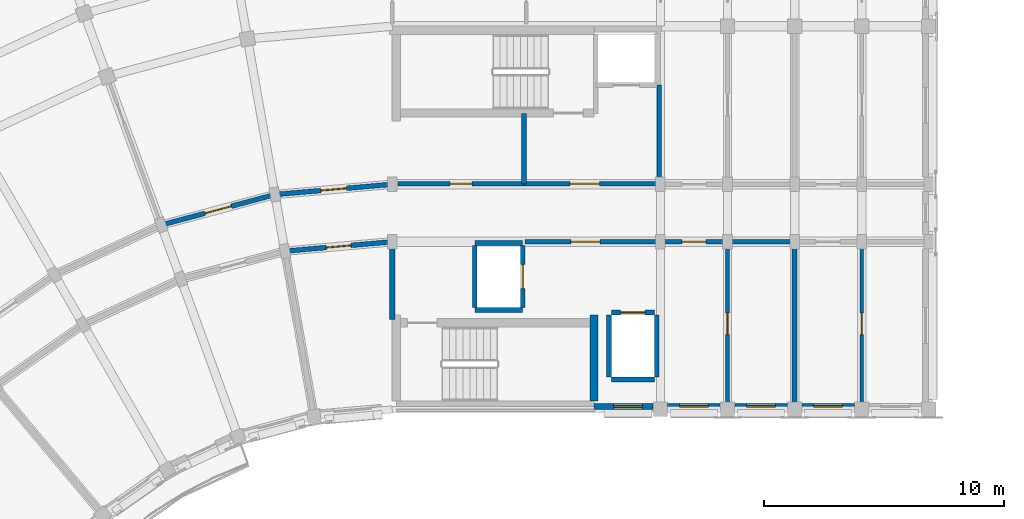
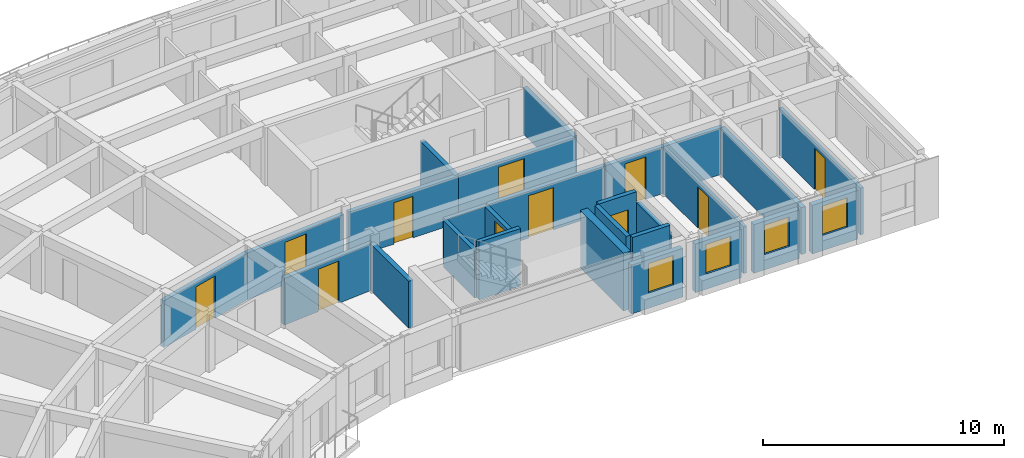
# One storey, part 14 of 32: 27 walls, 11 doors, 4 windows, 15 openings.
"""IFC4 building model written with IfcOpenShell, lengths in metres."""

from ifc_helpers import new_model, si_unit, direction, frame, frame_2d, origin, place, context, subcontext, project, spatial, rectangle, extrude, material, layer, layer_set, type_object, element, fill, save


model = new_model("IFC4")

# Units and contexts
model_context = context("Model", 3, precision=1e-05, world=origin(), true_north=direction((0.0, 1.0)))
body_context = subcontext(model_context, "Body", "Model", "MODEL_VIEW")
ifc_project = project(units=[si_unit("LENGTHUNIT", "METRE"), si_unit("AREAUNIT", "SQUARE_METRE"), si_unit("VOLUMEUNIT", "CUBIC_METRE"), si_unit("PLANEANGLEUNIT", "RADIAN"), si_unit("MASSUNIT", "GRAM", prefix="KILO")], contexts=[model_context])

# Site, building, storey
site_placement = place(None, origin())
site = spatial("IfcSite", under=ifc_project, at=site_placement, CompositionType="ELEMENT")
building_placement = place(site_placement, origin())
building = spatial("IfcBuilding", under=site, at=building_placement, Name="Kiranvali Square Residences", CompositionType="ELEMENT")
storey_placement = place(building_placement, frame((0.0, 0.0, 40.199951171875)))
storey = spatial("IfcBuildingStorey", under=building, at=storey_placement, Name="L12", CompositionType="ELEMENT", Elevation=40.199951171875)

# Wall, opening, door
ifc_material_1 = material(Name="Autoclaved aerated concrete blockwork masonry", Category="masonry")
ifc_layer_1 = layer(ifc_material_1, 0.199951171875)
ifc_layer_set_1 = layer_set([ifc_layer_1], Name="Autoclaved aerated concrete blockwork masonry")
wall_type_1 = type_object("IfcWallType", Name="WL-COR-200", PredefinedType="STANDARD", material=ifc_layer_set_1)
wall_1_placement = place(storey_placement, frame((53.75, 113.60009765625, 0.0), z_axis=(0.0, 0.0, 1.0), x_axis=(1.0, 0.0, 0.0)))
wall_1 = element("IfcWall", 1, at=wall_1_placement, inside=storey, type_object=wall_type_1, Name="L12 architectural wall WL-L12-A-LL-COR", PredefinedType="STANDARD", context=body_context, shape_type="SweptSolid", body=[
    extrude(rectangle(XDim=5.60009765625, YDim=0.199951171875, at=frame_2d((2.800048828125, 0.0))), origin(), (0.0, 0.0, 1.0), 2.3720703125),
])
opening_1_placement = place(wall_1_placement, frame((1.909912109375, 0.0, 0.0)))
opening_1 = element("IfcOpeningElement", 2, at=opening_1_placement, cuts=wall_1, Name="Opening FD-COR-60", PredefinedType="OPENING", context=body_context, shape_type="SweptSolid", body=[
    extrude(rectangle(XDim=1.219970703125, YDim=2.14990234375, at=frame_2d((0.60986328125, 1.074951171875))), frame((0.0, 0.10986328125, 0.0), z_axis=(0.0, -1.0, 0.0), x_axis=(1.0, 0.0, 0.0)), (0.0, 0.0, 1.0), 0.219970703125),
])
ifc_material_2 = material(Name="Fire-rated acoustic hardwood and mineral-core door assembly", Category="wood")
door_type_1 = type_object("IfcDoorType", Name="DR-FD60-1200", OperationType="NOTDEFINED", PredefinedType="DOOR", material=ifc_material_2)
door_1_placement = place(opening_1_placement, frame((1.219970703125, 0.0, 0.0), z_axis=(0.0, 0.0, 1.0), x_axis=(-1.0, 0.0, 0.0)))
door_1 = element("IfcDoor", 3, at=door_1_placement, inside=storey, type_object=door_type_1, Name="L12 door DR-L12-0748 (DR-FD60-1200)", OperationType="SINGLE_SWING_RIGHT", OverallHeight=2.14990234375, OverallWidth=1.219970703125, PredefinedType="DOOR", context=body_context, shape_type="SweptSolid", body=[
    extrude(rectangle(XDim=1.219970703125, YDim=2.14990234375, at=frame_2d((0.60986328125, 1.074951171875))), frame((0.0, 0.02490234375, 0.0), z_axis=(0.0, -1.0, 0.0), x_axis=(1.0, 0.0, 0.0)), (0.0, 0.0, 1.0), 0.050048828125),
])
fill(opening_1, door_1)

wall_2_placement = place(storey_placement, frame((59.39990234375, 113.60009765625, 0.0), z_axis=(0.0, 0.0, 1.0), x_axis=(1.0, 0.0, 0.0)))
wall_2 = element("IfcWall", 4, at=wall_2_placement, inside=storey, type_object=wall_type_1, Name="L12 architectural wall WL-L12-A-A1CI-0", PredefinedType="STANDARD", context=body_context, shape_type="SweptSolid", body=[
    extrude(rectangle(XDim=2.800048828125, YDim=0.199951171875, at=frame_2d((1.39990234375, 0.0))), origin(), (0.0, 0.0, 1.0), 2.3720703125),
])
opening_2_placement = place(wall_2_placement, frame((0.89990234375, 0.0, 0.0)))
opening_2 = element("IfcOpeningElement", 5, at=opening_2_placement, cuts=wall_2, Name="Opening FD-APT-60", PredefinedType="OPENING", context=body_context, shape_type="SweptSolid", body=[
    extrude(rectangle(XDim=1.0, YDim=2.14990234375, at=frame_2d((0.5, 1.074951171875))), frame((0.0, 0.10986328125, 0.0), z_axis=(0.0, -1.0, 0.0), x_axis=(1.0, 0.0, 0.0)), (0.0, 0.0, 1.0), 0.219970703125),
])
door_type_2 = type_object("IfcDoorType", Name="DR-APT-1000", OperationType="NOTDEFINED", PredefinedType="DOOR", material=ifc_material_2)
door_2_placement = place(opening_2_placement, frame((1.0, 0.0, 0.0), z_axis=(0.0, 0.0, 1.0), x_axis=(-1.0, 0.0, 0.0)))
door_2 = element("IfcDoor", 6, at=door_2_placement, inside=storey, type_object=door_type_2, Name="L12 door DR-L12-0752 (DR-APT-1000)", OperationType="SINGLE_SWING_RIGHT", OverallHeight=2.14990234375, OverallWidth=1.0, PredefinedType="DOOR", context=body_context, shape_type="SweptSolid", body=[
    extrude(rectangle(XDim=1.0, YDim=2.14990234375, at=frame_2d((0.5, 1.074951171875))), frame((0.0, 0.02490234375, 0.0), z_axis=(0.0, -1.0, 0.0), x_axis=(1.0, 0.0, 0.0)), (0.0, 0.0, 1.0), 0.050048828125),
])
fill(opening_2, door_2)

# Wall
wall_3_placement = place(storey_placement, frame((62.199951171875, 113.60009765625, 0.0), z_axis=(0.0, 0.0, 1.0), x_axis=(1.0, 0.0, 0.0)))
element("IfcWall", 7, at=wall_3_placement, inside=storey, type_object=wall_type_1, Name="L12 architectural wall WL-L12-A-A1CI-1", PredefinedType="STANDARD", context=body_context, shape_type="SweptSolid", body=[
    extrude(rectangle(XDim=2.800048828125, YDim=0.199951171875, at=frame_2d((1.39990234375, 0.0))), origin(), (0.0, 0.0, 1.0), 2.3720703125),
])

# Wall, opening, door
wall_4_placement = place(storey_placement, frame((48.199951171875, 113.60009765625, 0.0), z_axis=(0.0, 0.0, 1.0), x_axis=(-0.996191949488, -0.087187153726, 0.0)))
wall_4 = element("IfcWall", 8, at=wall_4_placement, inside=storey, type_object=wall_type_1, Name="L12 architectural wall WL-L12-A-CCI-0", PredefinedType="STANDARD", context=body_context, shape_type="SweptSolid", body=[
    extrude(rectangle(XDim=4.4970703125, YDim=0.199951171875, at=frame_2d((2.24853515625, 0.0))), origin(), (0.0, 0.0, 1.0), 2.3720703125),
])
opening_3_placement = place(wall_4_placement, frame((1.728515625, 0.0, 0.0)))
opening_3 = element("IfcOpeningElement", 9, at=opening_3_placement, cuts=wall_4, Name="Opening FD-APT-60B", PredefinedType="OPENING", context=body_context, shape_type="SweptSolid", body=[
    extrude(rectangle(XDim=1.0400390625, YDim=2.14990234375, at=frame_2d((0.52001953125, 1.074951171875))), frame((0.0, 0.10986328125, 0.0), z_axis=(0.0, -1.0, 0.0), x_axis=(1.0, 0.0, 0.0)), (0.0, 0.0, 1.0), 0.219970703125),
])
door_type_3 = type_object("IfcDoorType", Name="DR-APT-1040", OperationType="NOTDEFINED", PredefinedType="DOOR", material=ifc_material_2)
door_3_placement = place(opening_3_placement, origin())
door_3 = element("IfcDoor", 10, at=door_3_placement, inside=storey, type_object=door_type_3, Name="L12 door DR-L12-0781 (DR-APT-1040)", OperationType="SINGLE_SWING_LEFT", OverallHeight=2.14990234375, OverallWidth=1.0400390625, PredefinedType="DOOR", context=body_context, shape_type="SweptSolid", body=[
    extrude(rectangle(XDim=1.0400390625, YDim=2.14990234375, at=frame_2d((0.52001953125, 1.074951171875))), frame((0.0, 0.02490234375, 0.0), z_axis=(0.0, -1.0, 0.0), x_axis=(1.0, 0.0, 0.0)), (0.0, 0.0, 1.0), 0.050048828125),
])
fill(opening_3, door_3)

wall_5_placement = place(storey_placement, frame((48.199951171875, 116.0, 0.0), z_axis=(0.0, 0.0, 1.0), x_axis=(-0.996193663584, -0.087167566415, 0.0)))
wall_5 = element("IfcWall", 11, at=wall_5_placement, inside=storey, type_object=wall_type_1, Name="L12 architectural wall WL-L12-A-CCO-0", PredefinedType="STANDARD", context=body_context, shape_type="SweptSolid", body=[
    extrude(rectangle(XDim=4.91552734375, YDim=0.199951171875, at=frame_2d((2.457763671875, 0.0))), origin(), (0.0, 0.0, 1.0), 2.3720703125),
])
opening_4_placement = place(wall_5_placement, frame((1.917724609375, 0.0, 0.0)))
opening_4 = element("IfcOpeningElement", 12, at=opening_4_placement, cuts=wall_5, Name="Opening FD-APT-60C", PredefinedType="OPENING", context=body_context, shape_type="SweptSolid", body=[
    extrude(rectangle(XDim=1.080078125, YDim=2.14990234375, at=frame_2d((0.5400390625, 1.074951171875))), frame((0.0, 0.10986328125, 0.0), z_axis=(0.0, -1.0, 0.0), x_axis=(1.0, 0.0, 0.0)), (0.0, 0.0, 1.0), 0.219970703125),
])
door_type_4 = type_object("IfcDoorType", Name="DR-APT-1080", OperationType="NOTDEFINED", PredefinedType="DOOR", material=ifc_material_2)
door_4_placement = place(opening_4_placement, frame((1.080078125, 0.0, 0.0), z_axis=(0.0, 0.0, 1.0), x_axis=(-1.0, 0.0, 0.0)))
door_4 = element("IfcDoor", 13, at=door_4_placement, inside=storey, type_object=door_type_4, Name="L12 door DR-L12-0772 (DR-APT-1080)", OperationType="SINGLE_SWING_RIGHT", OverallHeight=2.14990234375, OverallWidth=1.080078125, PredefinedType="DOOR", context=body_context, shape_type="SweptSolid", body=[
    extrude(rectangle(XDim=1.080078125, YDim=2.14990234375, at=frame_2d((0.5400390625, 1.074951171875))), frame((0.0, 0.02490234375, 0.0), z_axis=(0.0, -1.0, 0.0), x_axis=(1.0, 0.0, 0.0)), (0.0, 0.0, 1.0), 0.050048828125),
])
fill(opening_4, door_4)

wall_6_placement = place(storey_placement, frame((43.30322265625, 115.571533203125, 0.0), z_axis=(0.0, 0.0, 1.0), x_axis=(-0.965930095386, -0.258803112091, 0.0)))
wall_6 = element("IfcWall", 14, at=wall_6_placement, inside=storey, type_object=wall_type_1, Name="L12 architectural wall WL-L12-A-CCO-1", PredefinedType="STANDARD", context=body_context, shape_type="SweptSolid", body=[
    extrude(rectangle(XDim=4.915771484375, YDim=0.199951171875, at=frame_2d((2.4580078125, 0.0))), origin(), (0.0, 0.0, 1.0), 2.3720703125),
])
opening_5_placement = place(wall_6_placement, frame((1.8876953125, 0.0, 0.0)))
opening_5 = element("IfcOpeningElement", 15, at=opening_5_placement, cuts=wall_6, Name="Opening FD-APT-60D", PredefinedType="OPENING", context=body_context, shape_type="SweptSolid", body=[
    extrude(rectangle(XDim=1.139892578125, YDim=2.14990234375, at=frame_2d((0.56982421875, 1.074951171875))), frame((0.0, 0.10986328125, 0.0), z_axis=(0.0, -1.0, 0.0), x_axis=(1.0, 0.0, 0.0)), (0.0, 0.0, 1.0), 0.219970703125),
])
door_type_5 = type_object("IfcDoorType", Name="DR-APT-1140", OperationType="NOTDEFINED", PredefinedType="DOOR", material=ifc_material_2)
door_5_placement = place(opening_5_placement, origin())
door_5 = element("IfcDoor", 16, at=door_5_placement, inside=storey, type_object=door_type_5, Name="L12 door DR-L12-0773 (DR-APT-1140)", OperationType="SINGLE_SWING_LEFT", OverallHeight=2.14990234375, OverallWidth=1.139892578125, PredefinedType="DOOR", context=body_context, shape_type="SweptSolid", body=[
    extrude(rectangle(XDim=1.139892578125, YDim=2.14990234375, at=frame_2d((0.56982421875, 1.074951171875))), frame((0.0, 0.02490234375, 0.0), z_axis=(0.0, -1.0, 0.0), x_axis=(1.0, 0.0, 0.0)), (0.0, 0.0, 1.0), 0.050048828125),
])
fill(opening_5, door_5)

# Walls
ifc_layer_2 = layer(ifc_material_1, 0.219970703125)
ifc_layer_set_2 = layer_set([ifc_layer_2], Name="Autoclaved aerated concrete blockwork masonry")
wall_type_2 = type_object("IfcWallType", Name="WL-DEM-220", PredefinedType="STANDARD", material=ifc_layer_set_2)
wall_7_placement = place(storey_placement, frame((65.0, 106.800048828125, 0.0), z_axis=(0.0, 0.0, 1.0), x_axis=(0.0, 1.0, 0.0)))
element("IfcWall", 17, at=wall_7_placement, inside=storey, type_object=wall_type_2, Name="L12 architectural wall WL-L12-A-A1TI-2", PredefinedType="STANDARD", context=body_context, shape_type="SweptSolid", body=[
    extrude(rectangle(XDim=6.75, YDim=0.219970703125, at=frame_2d((3.375, 0.0))), origin(), (0.0, 0.0, 1.0), 2.3720703125),
])
wall_8_placement = place(storey_placement, frame((48.199951171875, 110.35009765625, 0.0), z_axis=(0.0, 0.0, 1.0), x_axis=(0.0, 1.0, 0.0)))
element("IfcWall", 18, at=wall_8_placement, inside=storey, type_object=wall_type_2, Name="L12 architectural wall WL-L12-A-RADI-0", PredefinedType="STANDARD", context=body_context, shape_type="SweptSolid", body=[
    extrude(rectangle(XDim=3.199951171875, YDim=0.219970703125, at=frame_2d((1.60009765625, 0.0))), origin(), (0.0, 0.0, 1.0), 2.3720703125),
])

# Wall, opening, window
ifc_material_3 = material(Name="Breathable lime-rendered clay brick masonry", Category="masonry")
ifc_layer_3 = layer(ifc_material_3, 0.25)
ifc_layer_set_3 = layer_set([ifc_layer_3], Name="Breathable lime-rendered clay brick masonry")
wall_type_3 = type_object("IfcWallType", Name="WL-EXT-250", PredefinedType="STANDARD", material=ifc_layer_set_3)
wall_9_placement = place(storey_placement, frame((56.62841796875, 106.72509765625, 0.0), z_axis=(0.0, 0.0, 1.0), x_axis=(1.0, 0.0, 0.0)))
wall_9 = element("IfcWall", 19, at=wall_9_placement, inside=storey, type_object=wall_type_3, Name="L12 exterior wall A-L12-A1IN-0", PredefinedType="STANDARD", context=body_context, shape_type="SweptSolid", body=[
    extrude(rectangle(XDim=2.468017578125, YDim=0.25, at=frame_2d((1.23388671875, 0.0))), origin(), (0.0, 0.0, 1.0), 2.47216796875),
])
opening_6_placement = place(wall_9_placement, frame((0.821533203125, 0.0, 0.77197265625)))
opening_6 = element("IfcOpeningElement", 20, at=opening_6_placement, cuts=wall_9, Name="Opening W-06", PredefinedType="OPENING", context=body_context, shape_type="SweptSolid", body=[
    extrude(rectangle(XDim=1.199951171875, YDim=1.5, at=frame_2d((0.60009765625, 0.75))), frame((0.0, 0.135009765625, 0.0), z_axis=(0.0, -1.0, 0.0), x_axis=(1.0, 0.0, 0.0)), (0.0, 0.0, 1.0), 0.27001953125),
])
ifc_material_4 = material(Name="Solar-control low-e double glazing", Category="glass")
window_type = type_object("IfcWindowType", Name="WIN-RES-1200x1500", PartitioningType="SINGLE_PANEL", PredefinedType="WINDOW", material=ifc_material_4)
window_1_placement = place(opening_6_placement, origin())
window_1 = element("IfcWindow", 21, at=window_1_placement, inside=storey, type_object=window_type, Name="L12 recessed window A-L12-A1IN-0", OverallHeight=1.5, OverallWidth=1.199951171875, PartitioningType="SINGLE_PANEL", PredefinedType="WINDOW", context=body_context, shape_type="SweptSolid", body=[
    extrude(rectangle(XDim=1.199951171875, YDim=1.5, at=frame_2d((0.60009765625, 0.75))), frame((0.0, 0.030029296875, 0.0), z_axis=(0.0, -1.0, 0.0), x_axis=(1.0, 0.0, 0.0)), (0.0, 0.0, 1.0), 0.06005859375),
])
fill(opening_6, window_1)

wall_10_placement = place(storey_placement, frame((59.70361328125, 106.72509765625, 0.0), z_axis=(0.0, 0.0, 1.0), x_axis=(1.0, 0.0, 0.0)))
wall_10 = element("IfcWall", 22, at=wall_10_placement, inside=storey, type_object=wall_type_3, Name="L12 exterior wall A-L12-A1I-0", PredefinedType="STANDARD", context=body_context, shape_type="SweptSolid", body=[
    extrude(rectangle(XDim=2.19287109375, YDim=0.25, at=frame_2d((1.096435546875, 0.0))), origin(), (0.0, 0.0, 1.0), 2.47216796875),
])
opening_7_placement = place(wall_10_placement, frame((0.49658203125, 0.0, 0.77197265625)))
opening_7 = element("IfcOpeningElement", 23, at=opening_7_placement, cuts=wall_10, Name="Opening W-06", PredefinedType="OPENING", context=body_context, shape_type="SweptSolid", body=[
    extrude(rectangle(XDim=1.199951171875, YDim=1.5, at=frame_2d((0.60009765625, 0.75))), frame((0.0, 0.135009765625, 0.0), z_axis=(0.0, -1.0, 0.0), x_axis=(1.0, 0.0, 0.0)), (0.0, 0.0, 1.0), 0.27001953125),
])
window_2_placement = place(opening_7_placement, origin())
window_2 = element("IfcWindow", 24, at=window_2_placement, inside=storey, type_object=window_type, Name="L12 recessed window A-L12-A1I-0", OverallHeight=1.5, OverallWidth=1.199951171875, PartitioningType="SINGLE_PANEL", PredefinedType="WINDOW", context=body_context, shape_type="SweptSolid", body=[
    extrude(rectangle(XDim=1.199951171875, YDim=1.5, at=frame_2d((0.60009765625, 0.75))), frame((0.0, 0.030029296875, 0.0), z_axis=(0.0, -1.0, 0.0), x_axis=(1.0, 0.0, 0.0)), (0.0, 0.0, 1.0), 0.06005859375),
])
fill(opening_7, window_2)

wall_11_placement = place(storey_placement, frame((62.50341796875, 106.72509765625, 0.0), z_axis=(0.0, 0.0, 1.0), x_axis=(1.0, 0.0, 0.0)))
wall_11 = element("IfcWall", 25, at=wall_11_placement, inside=storey, type_object=wall_type_3, Name="L12 exterior wall A-L12-A1I-1", PredefinedType="STANDARD", context=body_context, shape_type="SweptSolid", body=[
    extrude(rectangle(XDim=2.193115234375, YDim=0.25, at=frame_2d((1.0966796875, 0.0))), origin(), (0.0, 0.0, 1.0), 2.47216796875),
])
opening_8_placement = place(wall_11_placement, frame((0.49658203125, 0.0, 0.77197265625)))
opening_8 = element("IfcOpeningElement", 26, at=opening_8_placement, cuts=wall_11, Name="Opening W-06", PredefinedType="OPENING", context=body_context, shape_type="SweptSolid", body=[
    extrude(rectangle(XDim=1.199951171875, YDim=1.5, at=frame_2d((0.60009765625, 0.75))), frame((0.0, 0.135009765625, 0.0), z_axis=(0.0, -1.0, 0.0), x_axis=(1.0, 0.0, 0.0)), (0.0, 0.0, 1.0), 0.27001953125),
])
window_3_placement = place(opening_8_placement, origin())
window_3 = element("IfcWindow", 27, at=window_3_placement, inside=storey, type_object=window_type, Name="L12 recessed window A-L12-A1I-1", OverallHeight=1.5, OverallWidth=1.199951171875, PartitioningType="SINGLE_PANEL", PredefinedType="WINDOW", context=body_context, shape_type="SweptSolid", body=[
    extrude(rectangle(XDim=1.199951171875, YDim=1.5, at=frame_2d((0.60009765625, 0.75))), frame((0.0, 0.030029296875, 0.0), z_axis=(0.0, -1.0, 0.0), x_axis=(1.0, 0.0, 0.0)), (0.0, 0.0, 1.0), 0.06005859375),
])
fill(opening_8, window_3)

wall_12_placement = place(storey_placement, frame((65.303466796875, 106.72509765625, 0.0), z_axis=(0.0, 0.0, 1.0), x_axis=(1.0, 0.0, 0.0)))
wall_12 = element("IfcWall", 28, at=wall_12_placement, inside=storey, type_object=wall_type_3, Name="L12 exterior wall A-L12-A1I-2", PredefinedType="STANDARD", context=body_context, shape_type="SweptSolid", body=[
    extrude(rectangle(XDim=2.193115234375, YDim=0.25, at=frame_2d((1.0966796875, 0.0))), origin(), (0.0, 0.0, 1.0), 2.47216796875),
])
opening_9_placement = place(wall_12_placement, frame((0.49658203125, 0.0, 0.77197265625)))
opening_9 = element("IfcOpeningElement", 29, at=opening_9_placement, cuts=wall_12, Name="Opening W-06", PredefinedType="OPENING", context=body_context, shape_type="SweptSolid", body=[
    extrude(rectangle(XDim=1.199951171875, YDim=1.5, at=frame_2d((0.60009765625, 0.75))), frame((0.0, 0.135009765625, 0.0), z_axis=(0.0, -1.0, 0.0), x_axis=(1.0, 0.0, 0.0)), (0.0, 0.0, 1.0), 0.27001953125),
])
window_4_placement = place(opening_9_placement, origin())
window_4 = element("IfcWindow", 30, at=window_4_placement, inside=storey, type_object=window_type, Name="L12 recessed window A-L12-A1I-2", OverallHeight=1.5, OverallWidth=1.199951171875, PartitioningType="SINGLE_PANEL", PredefinedType="WINDOW", context=body_context, shape_type="SweptSolid", body=[
    extrude(rectangle(XDim=1.199951171875, YDim=1.5, at=frame_2d((0.60009765625, 0.75))), frame((0.0, 0.030029296875, 0.0), z_axis=(0.0, -1.0, 0.0), x_axis=(1.0, 0.0, 0.0)), (0.0, 0.0, 1.0), 0.06005859375),
])
fill(opening_9, window_4)

# Wall, opening, door
ifc_layer_4 = layer(ifc_material_1, 0.199951171875)
ifc_layer_set_4 = layer_set([ifc_layer_4], Name="Autoclaved aerated concrete blockwork masonry")
wall_type_4 = type_object("IfcWallType", Name="WL-FFL-200", PredefinedType="STANDARD", material=ifc_layer_set_4)
wall_13_placement = place(storey_placement, frame((53.699951171875, 116.02001953125, 0.0), z_axis=(0.0, 0.0, 1.0), x_axis=(1.0, 0.0, 0.0)))
wall_13 = element("IfcWall", 31, at=wall_13_placement, inside=storey, type_object=wall_type_4, Name="L12 architectural wall WL-L12-A-FF-COR", PredefinedType="STANDARD", context=body_context, shape_type="SweptSolid", body=[
    extrude(rectangle(XDim=5.650146484375, YDim=0.199951171875, at=frame_2d((2.8251953125, 0.0))), origin(), (0.0, 0.0, 1.0), 2.3720703125),
])
opening_10_placement = place(wall_13_placement, frame((1.922607421875, 0.0, 0.0)))
opening_10 = element("IfcOpeningElement", 32, at=opening_10_placement, cuts=wall_13, Name="Opening FD-ST-120", PredefinedType="OPENING", context=body_context, shape_type="SweptSolid", body=[
    extrude(rectangle(XDim=1.239990234375, YDim=2.14990234375, at=frame_2d((0.6201171875, 1.074951171875))), frame((0.0, 0.10986328125, 0.0), z_axis=(0.0, -1.0, 0.0), x_axis=(1.0, 0.0, 0.0)), (0.0, 0.0, 1.0), 0.219970703125),
])
door_type_6 = type_object("IfcDoorType", Name="DR-FD120-1200", OperationType="NOTDEFINED", PredefinedType="DOOR", material=ifc_material_2)
door_6_placement = place(opening_10_placement, frame((1.239990234375, 0.0, 0.0), z_axis=(0.0, 0.0, 1.0), x_axis=(-1.0, 0.0, 0.0)))
door_6 = element("IfcDoor", 33, at=door_6_placement, inside=storey, type_object=door_type_6, Name="L12 door DR-L12-0740 (DR-FD120-1200)", OperationType="SINGLE_SWING_RIGHT", OverallHeight=2.14990234375, OverallWidth=1.239990234375, PredefinedType="DOOR", context=body_context, shape_type="SweptSolid", body=[
    extrude(rectangle(XDim=1.239990234375, YDim=2.14990234375, at=frame_2d((0.6201171875, 1.074951171875))), frame((0.0, 0.02490234375, 0.0), z_axis=(0.0, -1.0, 0.0), x_axis=(1.0, 0.0, 0.0)), (0.0, 0.0, 1.0), 0.050048828125),
])
fill(opening_10, door_6)

# Walls
wall_14_placement = place(storey_placement, frame((53.699951171875, 116.02001953125, 0.0), z_axis=(0.0, 0.0, 1.0), x_axis=(0.0, 1.0, 0.0)))
element("IfcWall", 34, at=wall_14_placement, inside=storey, type_object=wall_type_4, Name="L12 architectural wall WL-L12-A-FF-DIV", PredefinedType="STANDARD", context=body_context, shape_type="SweptSolid", body=[
    extrude(rectangle(XDim=2.929931640625, YDim=0.199951171875, at=frame_2d((1.46484375, 0.0))), origin(), (0.0, 0.0, 1.0), 2.3720703125),
])
wall_15_placement = place(storey_placement, frame((59.35009765625, 116.02001953125, 0.0), z_axis=(0.0, 0.0, 1.0), x_axis=(0.0, 1.0, 0.0)))
element("IfcWall", 35, at=wall_15_placement, inside=storey, type_object=wall_type_4, Name="L12 architectural wall WL-L12-A-FF-END", PredefinedType="STANDARD", context=body_context, shape_type="SweptSolid", body=[
    extrude(rectangle(XDim=4.1298828125, YDim=0.199951171875, at=frame_2d((2.06494140625, 0.0))), origin(), (0.0, 0.0, 1.0), 2.3720703125),
])

# Wall, opening, door
ifc_material_5 = material(Name="Acoustic gypsum board drylined partition", Category="gypsum")
ifc_layer_5 = layer(ifc_material_5, 0.14990234375)
ifc_layer_set_5 = layer_set([ifc_layer_5], Name="Acoustic gypsum board drylined partition")
wall_type_5 = type_object("IfcWallType", Name="WL-PRT-150", PredefinedType="PARTITIONING", material=ifc_layer_set_5)
wall_16_placement = place(storey_placement, frame((62.199951171875, 106.800048828125, 0.0), z_axis=(0.0, 0.0, 1.0), x_axis=(0.0, 1.0, 0.0)))
wall_16 = element("IfcWall", 36, at=wall_16_placement, inside=storey, type_object=wall_type_5, Name="L12 architectural wall WL-L12-A-A1TI-1", PredefinedType="PARTITIONING", context=body_context, shape_type="SweptSolid", body=[
    extrude(rectangle(XDim=6.75, YDim=0.14990234375, at=frame_2d((3.375, 0.0))), origin(), (0.0, 0.0, 1.0), 2.3720703125),
])
opening_11_placement = place(wall_16_placement, frame((2.925048828125, 0.0, 0.0)))
opening_11 = element("IfcOpeningElement", 37, at=opening_11_placement, cuts=wall_16, Name="Opening ID-1", PredefinedType="OPENING", context=body_context, shape_type="SweptSolid", body=[
    extrude(rectangle(XDim=0.89990234375, YDim=2.10009765625, at=frame_2d((0.449951171875, 1.050048828125))), frame((0.0, 0.0849609375, 0.0), z_axis=(0.0, -1.0, 0.0), x_axis=(1.0, 0.0, 0.0)), (0.0, 0.0, 1.0), 0.169921875),
])
ifc_material_6 = material(Name="Solid seasoned teak hardwood joinery", Category="wood")
door_type_7 = type_object("IfcDoorType", Name="DR-INT-900", OperationType="NOTDEFINED", PredefinedType="DOOR", material=ifc_material_6)
door_7_placement = place(opening_11_placement, origin())
door_7 = element("IfcDoor", 38, at=door_7_placement, inside=storey, type_object=door_type_7, Name="L12 door DR-L12-0761 (DR-INT-900)", OperationType="SINGLE_SWING_LEFT", OverallHeight=2.10009765625, OverallWidth=0.89990234375, PredefinedType="DOOR", context=body_context, shape_type="SweptSolid", body=[
    extrude(rectangle(XDim=0.89990234375, YDim=2.10009765625, at=frame_2d((0.449951171875, 1.050048828125))), frame((0.0, 0.02490234375, 0.0), z_axis=(0.0, -1.0, 0.0), x_axis=(1.0, 0.0, 0.0)), (0.0, 0.0, 1.0), 0.050048828125),
])
fill(opening_11, door_7)

wall_17_placement = place(storey_placement, frame((67.800048828125, 106.800048828125, 0.0), z_axis=(0.0, 0.0, 1.0), x_axis=(0.0, 1.0, 0.0)))
wall_17 = element("IfcWall", 39, at=wall_17_placement, inside=storey, type_object=wall_type_5, Name="L12 architectural wall WL-L12-A-A1TI-3", PredefinedType="PARTITIONING", context=body_context, shape_type="SweptSolid", body=[
    extrude(rectangle(XDim=6.75, YDim=0.14990234375, at=frame_2d((3.375, 0.0))), origin(), (0.0, 0.0, 1.0), 2.3720703125),
])
opening_12_placement = place(wall_17_placement, frame((2.925048828125, 0.0, 0.0)))
opening_12 = element("IfcOpeningElement", 40, at=opening_12_placement, cuts=wall_17, Name="Opening ID-1", PredefinedType="OPENING", context=body_context, shape_type="SweptSolid", body=[
    extrude(rectangle(XDim=0.89990234375, YDim=2.10009765625, at=frame_2d((0.449951171875, 1.050048828125))), frame((0.0, 0.0849609375, 0.0), z_axis=(0.0, -1.0, 0.0), x_axis=(1.0, 0.0, 0.0)), (0.0, 0.0, 1.0), 0.169921875),
])
door_8_placement = place(opening_12_placement, frame((0.89990234375, 0.0, 0.0), z_axis=(0.0, 0.0, 1.0), x_axis=(-1.0, 0.0, 0.0)))
door_8 = element("IfcDoor", 41, at=door_8_placement, inside=storey, type_object=door_type_7, Name="L12 door DR-L12-0764 (DR-INT-900)", OperationType="SINGLE_SWING_RIGHT", OverallHeight=2.10009765625, OverallWidth=0.89990234375, PredefinedType="DOOR", context=body_context, shape_type="SweptSolid", body=[
    extrude(rectangle(XDim=0.89990234375, YDim=2.10009765625, at=frame_2d((0.449951171875, 1.050048828125))), frame((0.0, 0.02490234375, 0.0), z_axis=(0.0, -1.0, 0.0), x_axis=(1.0, 0.0, 0.0)), (0.0, 0.0, 1.0), 0.050048828125),
])
fill(opening_12, door_8)

ifc_layer_6 = layer(ifc_material_1, 0.199951171875)
ifc_layer_set_6 = layer_set([ifc_layer_6], Name="Autoclaved aerated concrete blockwork masonry")
wall_type_6 = type_object("IfcWallType", Name="WL-SHF-200", PredefinedType="STANDARD", material=ifc_layer_set_6)
wall_18_placement = place(storey_placement, frame((48.449951171875, 116.02001953125, 0.0), z_axis=(0.0, 0.0, 1.0), x_axis=(1.0, 0.0, 0.0)))
wall_18 = element("IfcWall", 42, at=wall_18_placement, inside=storey, type_object=wall_type_6, Name="L12 architectural wall WL-L12-A-RSR-COR", PredefinedType="STANDARD", context=body_context, shape_type="SweptSolid", body=[
    extrude(rectangle(XDim=5.25, YDim=0.199951171875, at=frame_2d((2.625, 0.0))), origin(), (0.0, 0.0, 1.0), 2.3720703125),
])
opening_13_placement = place(wall_18_placement, frame((2.1650390625, 0.0, 0.0)))
opening_13 = element("IfcOpeningElement", 43, at=opening_13_placement, cuts=wall_18, Name="Opening FD-SVC-120", PredefinedType="OPENING", context=body_context, shape_type="SweptSolid", body=[
    extrude(rectangle(XDim=0.919921875, YDim=2.10009765625, at=frame_2d((0.4599609375, 1.050048828125))), frame((0.0, 0.10986328125, 0.0), z_axis=(0.0, -1.0, 0.0), x_axis=(1.0, 0.0, 0.0)), (0.0, 0.0, 1.0), 0.219970703125),
])
door_type_8 = type_object("IfcDoorType", Name="DR-SVC-900", OperationType="NOTDEFINED", PredefinedType="DOOR", material=ifc_material_2)
door_9_placement = place(opening_13_placement, origin())
door_9 = element("IfcDoor", 44, at=door_9_placement, inside=storey, type_object=door_type_8, Name="L12 door DR-L12-0741 (DR-SVC-900)", OperationType="SINGLE_SWING_LEFT", OverallHeight=2.10009765625, OverallWidth=0.919921875, PredefinedType="DOOR", context=body_context, shape_type="SweptSolid", body=[
    extrude(rectangle(XDim=0.919921875, YDim=2.10009765625, at=frame_2d((0.4599609375, 1.050048828125))), frame((0.0, 0.02490234375, 0.0), z_axis=(0.0, -1.0, 0.0), x_axis=(1.0, 0.0, 0.0)), (0.0, 0.0, 1.0), 0.050048828125),
])
fill(opening_13, door_9)

# Walls
wall_19_placement = place(storey_placement, frame((57.25, 107.949951171875, 0.0), z_axis=(0.0, 0.0, 1.0), x_axis=(0.0, 1.0, 0.0)))
element("IfcWall", 45, at=wall_19_placement, inside=storey, type_object=wall_type_6, Name="L12 architectural wall WL-L12-A-LP1-S1", PredefinedType="STANDARD", context=body_context, shape_type="SweptSolid", body=[
    extrude(rectangle(XDim=2.60009765625, YDim=0.199951171875, at=frame_2d((1.300048828125, 0.0))), origin(), (0.0, 0.0, 1.0), 2.929931640625),
])
wall_20_placement = place(storey_placement, frame((59.25, 107.949951171875, 0.0), z_axis=(0.0, 0.0, 1.0), x_axis=(0.0, 1.0, 0.0)))
element("IfcWall", 46, at=wall_20_placement, inside=storey, type_object=wall_type_6, Name="L12 architectural wall WL-L12-A-LP1-B", PredefinedType="STANDARD", context=body_context, shape_type="SweptSolid", body=[
    extrude(rectangle(XDim=2.60009765625, YDim=0.199951171875, at=frame_2d((1.300048828125, 0.0))), origin(), (0.0, 0.0, 1.0), 2.3720703125),
])
wall_21_placement = place(storey_placement, frame((57.35009765625, 107.85009765625, 0.0), z_axis=(0.0, 0.0, 1.0), x_axis=(1.0, 0.0, 0.0)))
element("IfcWall", 47, at=wall_21_placement, inside=storey, type_object=wall_type_6, Name="L12 architectural wall WL-L12-A-LP1-S2", PredefinedType="STANDARD", context=body_context, shape_type="SweptSolid", body=[
    extrude(rectangle(XDim=1.7998046875, YDim=0.199951171875, at=frame_2d((0.89990234375, 0.0))), origin(), (0.0, 0.0, 1.0), 2.929931640625),
])

# Wall, opening, door
wall_22_placement = place(storey_placement, frame((57.35009765625, 110.64990234375, 0.0), z_axis=(0.0, 0.0, 1.0), x_axis=(1.0, 0.0, 0.0)))
wall_22 = element("IfcWall", 48, at=wall_22_placement, inside=storey, type_object=wall_type_6, Name="L12 architectural wall WL-L12-A-LP1-F", PredefinedType="STANDARD", context=body_context, shape_type="SweptSolid", body=[
    extrude(rectangle(XDim=1.7998046875, YDim=0.199951171875, at=frame_2d((0.89990234375, 0.0))), origin(), (0.0, 0.0, 1.0), 2.929931640625),
])
opening_14_placement = place(wall_22_placement, frame((0.389892578125, 0.0, 0.0)))
opening_14 = element("IfcOpeningElement", 49, at=opening_14_placement, cuts=wall_22, Name="Opening LD-PAX-100", PredefinedType="OPENING", context=body_context, shape_type="SweptSolid", body=[
    extrude(rectangle(XDim=1.02001953125, YDim=2.14990234375, at=frame_2d((0.510009765625, 1.074951171875))), frame((0.0, 0.10986328125, 0.0), z_axis=(0.0, -1.0, 0.0), x_axis=(1.0, 0.0, 0.0)), (0.0, 0.0, 1.0), 0.219970703125),
])
door_type_9 = type_object("IfcDoorType", Name="DR-LIFT-1000", OperationType="SLIDING_TO_RIGHT", PredefinedType="DOOR", material=ifc_material_2)
door_10_placement = place(opening_14_placement, origin())
door_10 = element("IfcDoor", 50, at=door_10_placement, inside=storey, type_object=door_type_9, Name="L12 door DR-L12-0746 (DR-LIFT-1000)", OperationType="SLIDING_TO_RIGHT", OverallHeight=2.14990234375, OverallWidth=1.02001953125, PredefinedType="DOOR", context=body_context, shape_type="SweptSolid", body=[
    extrude(rectangle(XDim=1.02001953125, YDim=2.14990234375, at=frame_2d((0.510009765625, 1.074951171875))), frame((0.0, 0.02490234375, 0.0), z_axis=(0.0, -1.0, 0.0), x_axis=(1.0, 0.0, 0.0)), (0.0, 0.0, 1.0), 0.050048828125),
])
fill(opening_14, door_10)

# Walls
wall_23_placement = place(storey_placement, frame((51.64990234375, 110.75, 0.0), z_axis=(0.0, 0.0, 1.0), x_axis=(1.0, 0.0, 0.0)))
element("IfcWall", 51, at=wall_23_placement, inside=storey, type_object=wall_type_6, Name="L12 architectural wall WL-L12-A-LP2-S0", PredefinedType="STANDARD", context=body_context, shape_type="SweptSolid", body=[
    extrude(rectangle(XDim=2.0, YDim=0.199951171875, at=frame_2d((1.0, 0.0))), origin(), (0.0, 0.0, 1.0), 2.929931640625),
])
wall_24_placement = place(storey_placement, frame((51.64990234375, 113.550048828125, 0.0), z_axis=(0.0, 0.0, 1.0), x_axis=(1.0, 0.0, 0.0)))
element("IfcWall", 52, at=wall_24_placement, inside=storey, type_object=wall_type_6, Name="L12 architectural wall WL-L12-A-LP2-B", PredefinedType="STANDARD", context=body_context, shape_type="SweptSolid", body=[
    extrude(rectangle(XDim=2.0, YDim=0.199951171875, at=frame_2d((1.0, 0.0))), origin(), (0.0, 0.0, 1.0), 2.3720703125),
])
wall_25_placement = place(storey_placement, frame((51.64990234375, 110.85009765625, 0.0), z_axis=(0.0, 0.0, 1.0), x_axis=(0.0, 1.0, 0.0)))
element("IfcWall", 53, at=wall_25_placement, inside=storey, type_object=wall_type_6, Name="L12 architectural wall WL-L12-A-LP2-S1", PredefinedType="STANDARD", context=body_context, shape_type="SweptSolid", body=[
    extrude(rectangle(XDim=2.599853515625, YDim=0.199951171875, at=frame_2d((1.2998046875, 0.0))), origin(), (0.0, 0.0, 1.0), 2.3720703125),
])

# Wall, opening, door
wall_26_placement = place(storey_placement, frame((53.64990234375, 110.85009765625, 0.0), z_axis=(0.0, 0.0, 1.0), x_axis=(0.0, 1.0, 0.0)))
wall_26 = element("IfcWall", 54, at=wall_26_placement, inside=storey, type_object=wall_type_6, Name="L12 architectural wall WL-L12-A-LP2-F", PredefinedType="STANDARD", context=body_context, shape_type="SweptSolid", body=[
    extrude(rectangle(XDim=2.599853515625, YDim=0.199951171875, at=frame_2d((1.2998046875, 0.0))), origin(), (0.0, 0.0, 1.0), 2.3720703125),
])
opening_15_placement = place(wall_26_placement, frame((0.7900390625, 0.0, 0.0)))
opening_15 = element("IfcOpeningElement", 55, at=opening_15_placement, cuts=wall_26, Name="Opening LD-PAX-100", PredefinedType="OPENING", context=body_context, shape_type="SweptSolid", body=[
    extrude(rectangle(XDim=1.02001953125, YDim=2.14990234375, at=frame_2d((0.510009765625, 1.074951171875))), frame((0.0, 0.10986328125, 0.0), z_axis=(0.0, -1.0, 0.0), x_axis=(1.0, 0.0, 0.0)), (0.0, 0.0, 1.0), 0.219970703125),
])
door_11_placement = place(opening_15_placement, origin())
door_11 = element("IfcDoor", 56, at=door_11_placement, inside=storey, type_object=door_type_9, Name="L12 door DR-L12-0747 (DR-LIFT-1000)", OperationType="SLIDING_TO_RIGHT", OverallHeight=2.14990234375, OverallWidth=1.02001953125, PredefinedType="DOOR", context=body_context, shape_type="SweptSolid", body=[
    extrude(rectangle(XDim=1.02001953125, YDim=2.14990234375, at=frame_2d((0.510009765625, 1.074951171875))), frame((0.0, 0.02490234375, 0.0), z_axis=(0.0, -1.0, 0.0), x_axis=(1.0, 0.0, 0.0)), (0.0, 0.0, 1.0), 0.050048828125),
])
fill(opening_15, door_11)

# Wall
ifc_material_7 = material(Name="Concrete M45 (45 MPa)", Category="concrete")
ifc_layer_7 = layer(ifc_material_7, 0.320068359375)
ifc_layer_set_7 = layer_set([ifc_layer_7], Name="Concrete M45 (45 MPa)")
wall_type_7 = type_object("IfcWallType", Name="WL-SHR-320", PredefinedType="SHEAR", material=ifc_layer_set_7)
wall_27_placement = place(storey_placement, frame((56.625, 106.949951171875, 0.0), z_axis=(0.0, 0.0, 1.0), x_axis=(0.0, 1.0, 0.0)))
element("IfcWall", 57, at=wall_27_placement, inside=storey, type_object=wall_type_7, Name="Block A core shear wall SW-A2-FAR-L12", PredefinedType="SHEAR", context=body_context, shape_type="SweptSolid", body=[
    extrude(rectangle(XDim=3.60009765625, YDim=0.35009765625, at=frame_2d((1.800048828125, 0.0))), origin(), (0.0, 0.0, 1.0), 2.929931640625),
])

save(model, "model.ifc")
